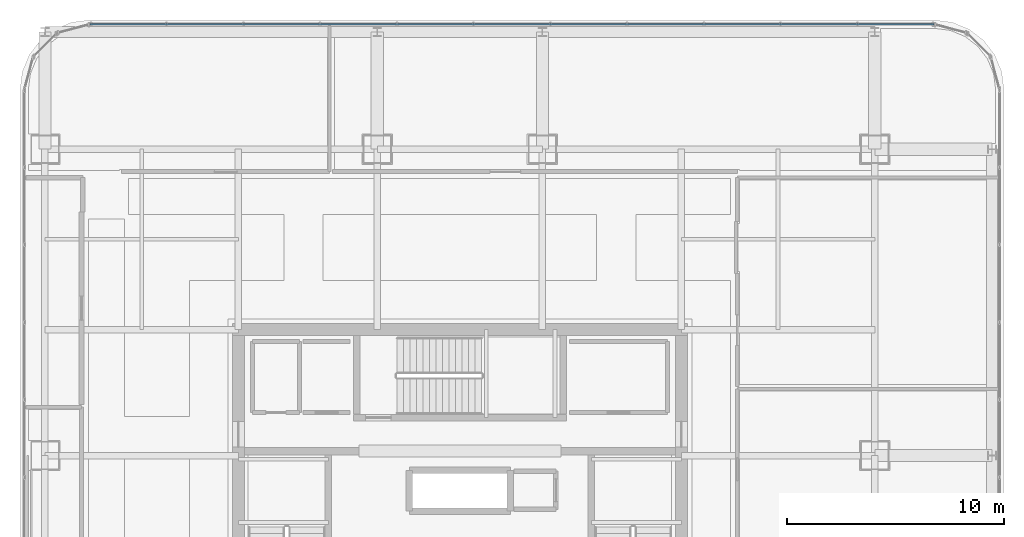
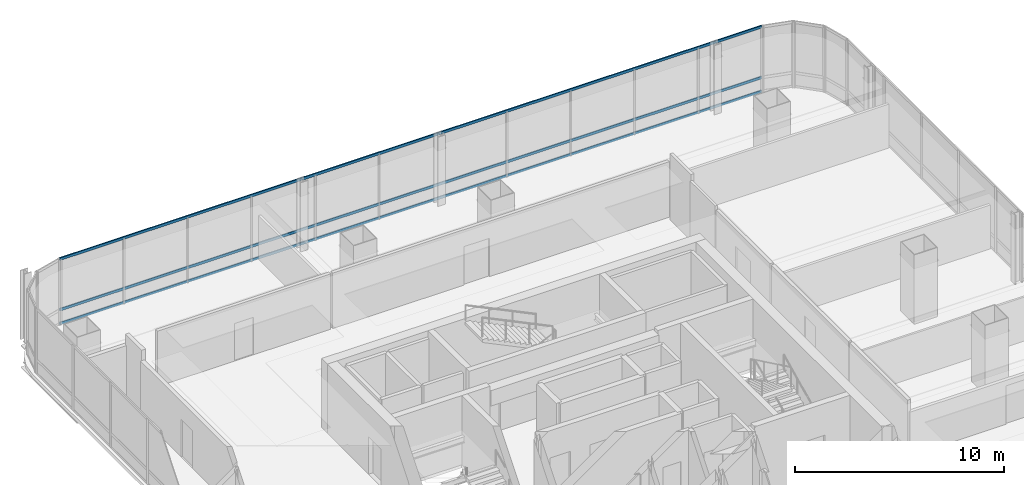
# One storey, part 28 of 42: 3 members, 1 element without a shape of its own.
"""IFC4 building model written with IfcOpenShell, lengths in metres."""

from ifc_helpers import new_model, si_unit, direction, frame, origin, origin_2d, place, context, subcontext, project, spatial, hollow_rectangle, extrude, material, material_profile, profile_set, type_object, element, aggregate, save


model = new_model("IFC4")

# Units and contexts
model_context = context("Model", 3, precision=1e-05, world=origin(), true_north=direction((0.0, 1.0)))
body_context = subcontext(model_context, "Body", "Model", "MODEL_VIEW")
ifc_project = project(units=[si_unit("LENGTHUNIT", "METRE"), si_unit("AREAUNIT", "SQUARE_METRE"), si_unit("VOLUMEUNIT", "CUBIC_METRE"), si_unit("PLANEANGLEUNIT", "RADIAN"), si_unit("MASSUNIT", "GRAM", prefix="KILO")], contexts=[model_context])

# Site, building, storey
site_placement = place(None, origin())
site = spatial("IfcSite", under=ifc_project, at=site_placement, CompositionType="ELEMENT")
building_placement = place(site_placement, origin())
building = spatial("IfcBuilding", under=site, at=building_placement, Name="Punatoya Terracotta Tower", CompositionType="ELEMENT")
storey_placement = place(building_placement, frame((0.0, 0.0, 263.550048828125)))
storey = spatial("IfcBuildingStorey", under=building, at=storey_placement, Name="L62", CompositionType="ELEMENT", Elevation=263.550048828125)

# Curtain wall, members
ifc_material_1 = material(Name="Aluminium 6063-T6 + Double Low-E Glass", Category="aluminium")
curtain_wall_type = type_object("IfcCurtainWallType", Name="CW-M3", PredefinedType="NOTDEFINED", material=ifc_material_1)
curtain_wall_placement = place(storey_placement, origin())
curtain_wall = element("IfcCurtainWall", 1, at=curtain_wall_placement, inside=storey, type_object=curtain_wall_type, Name="L62 Curtain Wall CW-L62-N09-1", PredefinedType="NOTDEFINED")
ifc_material_2 = material(Name="Aluminium 6063-T6", Category="aluminium")
ifc_material_profile = material_profile(ifc_material_2, hollow_rectangle(XDim=0.068115234375, YDim=0.14990234375, WallThickness=0.00390625, at=origin_2d()))
ifc_profile_set = profile_set([ifc_material_profile], Name="Aluminium 6063-T6")
member_type = type_object("IfcMemberType", Name="CW-TRN-TYP", PredefinedType="USERDEFINED", material=ifc_profile_set)
member_1_placement = place(storey_placement, frame((21.8369140625, 23.25, 0.0400390625), z_axis=(-1.0, 0.0, 0.0), x_axis=(0.0, -1.0, 0.0)))
member_1 = element("IfcMember", 2, at=member_1_placement, type_object=member_type, Name="CW-L62-N09-1 Transom 1", ObjectType="TRANSOM", PredefinedType="USERDEFINED", context=body_context, shape_type="SweptSolid", body=[
    extrude(hollow_rectangle(XDim=0.068115234375, YDim=0.14990234375, WallThickness=0.00390625, at=origin_2d()), origin(), (0.0, 0.0, 1.0), 38.873779296875),
])
member_2_placement = place(storey_placement, frame((21.8369140625, 23.25, 0.849853515625), z_axis=(-1.0, 0.0, 0.0), x_axis=(0.0, -1.0, 0.0)))
member_2 = element("IfcMember", 3, at=member_2_placement, type_object=member_type, Name="CW-L62-N09-1 Transom 2", ObjectType="TRANSOM", PredefinedType="USERDEFINED", context=body_context, shape_type="SweptSolid", body=[
    extrude(hollow_rectangle(XDim=0.068115234375, YDim=0.14990234375, WallThickness=0.00390625, at=origin_2d()), origin(), (0.0, 0.0, 1.0), 38.873779296875),
])
member_3_placement = place(storey_placement, frame((21.8369140625, 23.25, 3.81005859375), z_axis=(-1.0, 0.0, 0.0), x_axis=(0.0, -1.0, 0.0)))
member_3 = element("IfcMember", 4, at=member_3_placement, type_object=member_type, Name="CW-L62-N09-1 Transom 3", ObjectType="TRANSOM", PredefinedType="USERDEFINED", context=body_context, shape_type="SweptSolid", body=[
    extrude(hollow_rectangle(XDim=0.068115234375, YDim=0.14990234375, WallThickness=0.00390625, at=origin_2d()), origin(), (0.0, 0.0, 1.0), 38.873779296875),
])
aggregate(curtain_wall, [member_1, member_2, member_3])

save(model, "model.ifc")
